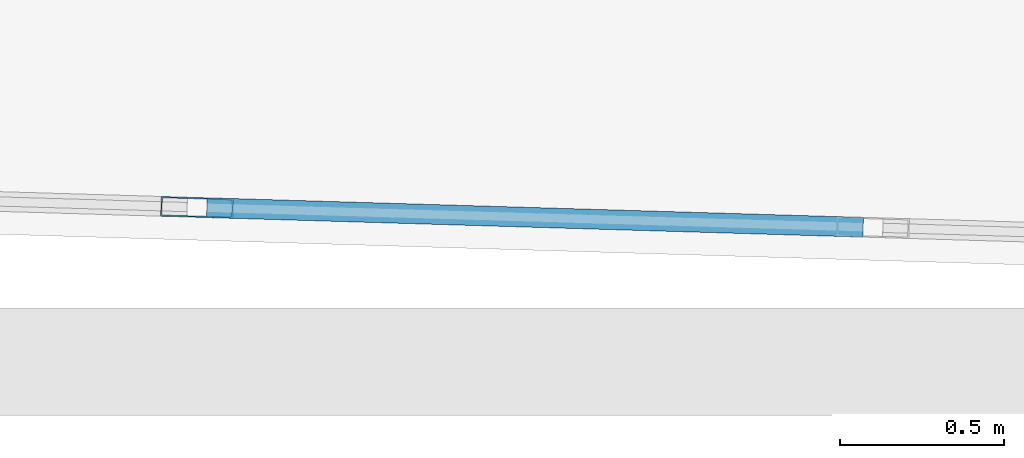
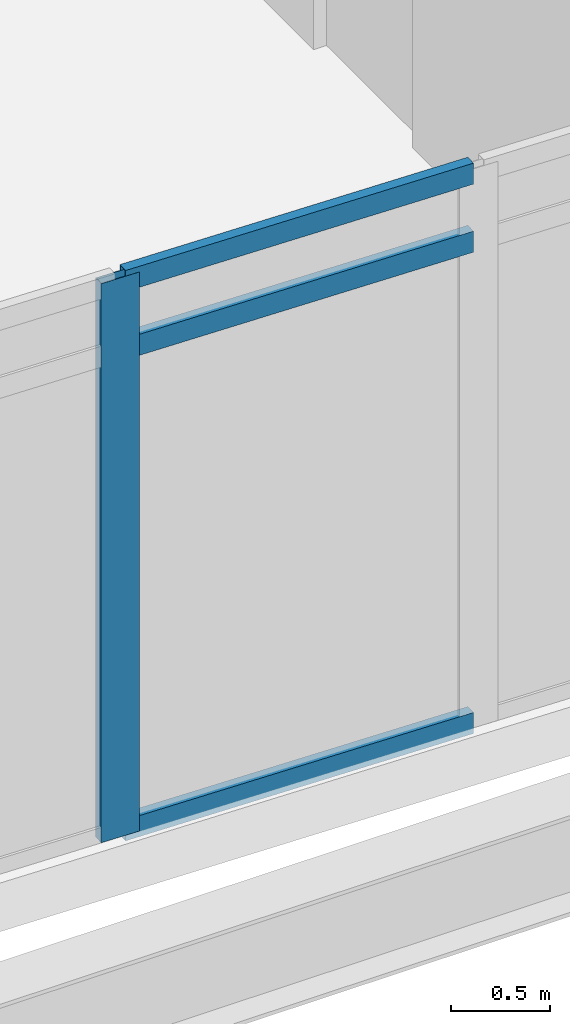
# One storey, part 5 of 28: 4 members, 1 element without a shape of its own.
"""IFC4 building model written with IfcOpenShell, lengths in metres."""

from ifc_helpers import new_model, si_unit, direction, frame, origin, origin_2d, place, context, subcontext, project, spatial, hollow_rectangle, extrude, material, material_profile, profile_set, type_object, element, aggregate, save


model = new_model("IFC4")

# Units and contexts
model_context = context("Model", 3, precision=1e-05, world=origin(), true_north=direction((0.0, 1.0)))
body_context = subcontext(model_context, "Body", "Model", "MODEL_VIEW")
ifc_project = project(units=[si_unit("LENGTHUNIT", "METRE"), si_unit("AREAUNIT", "SQUARE_METRE"), si_unit("VOLUMEUNIT", "CUBIC_METRE"), si_unit("PLANEANGLEUNIT", "RADIAN"), si_unit("MASSUNIT", "GRAM", prefix="KILO")], contexts=[model_context])

# Site, building, storey
site_placement = place(None, origin())
site = spatial("IfcSite", under=ifc_project, at=site_placement, CompositionType="ELEMENT")
building_placement = place(site_placement, origin())
building = spatial("IfcBuilding", under=site, at=building_placement, Name="Ostrander Bayou Hotel Tower", CompositionType="ELEMENT")
storey_placement = place(building_placement, frame((0.0, 0.0, 142.25)))
storey = spatial("IfcBuildingStorey", under=building, at=storey_placement, Name="L35", CompositionType="ELEMENT", Elevation=142.25)

# Curtain wall, members
ifc_material_1 = material(Name="Aluminium and clear glass", Category="aluminium")
curtain_wall_type = type_object("IfcCurtainWallType", Name="CW-BAR glazed wall", PredefinedType="NOTDEFINED", material=ifc_material_1)
curtain_wall_placement = place(storey_placement, origin())
curtain_wall = element("IfcCurtainWall", 1, at=curtain_wall_placement, inside=storey, type_object=curtain_wall_type, Name="CW-BAR L35:SB3S:T", PredefinedType="NOTDEFINED")
ifc_material_2 = material(Name="Aluminium", Category="aluminium")
ifc_material_profile_1 = material_profile(ifc_material_2, hollow_rectangle(XDim=0.06005859375, YDim=0.219970703125, WallThickness=0.00390625, at=origin_2d()))
ifc_profile_set_1 = profile_set([ifc_material_profile_1], Name="Aluminium")
member_type_1 = type_object("IfcMemberType", Name="CW-BR mullion 60 x 220 mm", PredefinedType="MULLION", material=ifc_profile_set_1)
member_1_placement = place(storey_placement, frame((1.0283203125, -30.980712890625, 0.0), z_axis=(0.0, 0.0, 1.0), x_axis=(0.029746242041, 0.999557482631, 0.0)))
member_1 = element("IfcMember", 2, at=member_1_placement, type_object=member_type_1, Name="CW-BAR mullion 8", PredefinedType="MULLION", context=body_context, shape_type="SweptSolid", body=[
    extrude(hollow_rectangle(XDim=0.06005859375, YDim=0.219970703125, WallThickness=0.00390625, at=origin_2d()), origin(), (0.0, 0.0, 1.0), 3.449951171875),
])
ifc_material_3 = material(Name="Aluminium", Category="aluminium")
ifc_material_profile_2 = material_profile(ifc_material_3, hollow_rectangle(XDim=0.06005859375, YDim=0.1298828125, WallThickness=0.00390625, at=origin_2d()))
ifc_profile_set_2 = profile_set([ifc_material_profile_2], Name="Aluminium")
member_type_2 = type_object("IfcMemberType", Name="CW-BR transom 60 x 130 mm", PredefinedType="USERDEFINED", material=ifc_profile_set_2)
member_2_placement = place(storey_placement, frame((1.058349609375, -30.9814453125, 0.030029296875), z_axis=(0.999555090424, -0.029826518535, 0.0), x_axis=(0.029826518535, 0.999555090424, 0.0)))
member_2 = element("IfcMember", 3, at=member_2_placement, type_object=member_type_2, Name="CW-BAR transom 8.1", ObjectType="TRANSOM", PredefinedType="USERDEFINED", context=body_context, shape_type="SweptSolid", body=[
    extrude(hollow_rectangle(XDim=0.06005859375, YDim=0.1298828125, WallThickness=0.00390625, at=origin_2d()), origin(), (0.0, 0.0, 1.0), 1.997314453125),
])
member_3_placement = place(storey_placement, frame((1.058349609375, -30.9814453125, 3.0), z_axis=(0.999555090424, -0.029826518535, 0.0), x_axis=(0.029826518535, 0.999555090424, 0.0)))
member_3 = element("IfcMember", 4, at=member_3_placement, type_object=member_type_2, Name="CW-BAR transom 8.2", ObjectType="TRANSOM", PredefinedType="USERDEFINED", context=body_context, shape_type="SweptSolid", body=[
    extrude(hollow_rectangle(XDim=0.06005859375, YDim=0.1298828125, WallThickness=0.00390625, at=origin_2d()), origin(), (0.0, 0.0, 1.0), 1.997314453125),
])
member_4_placement = place(storey_placement, frame((1.058349609375, -30.9814453125, 3.419921875), z_axis=(0.999555090424, -0.029826518535, 0.0), x_axis=(0.029826518535, 0.999555090424, 0.0)))
member_4 = element("IfcMember", 5, at=member_4_placement, type_object=member_type_2, Name="CW-BAR transom 8.3", ObjectType="TRANSOM", PredefinedType="USERDEFINED", context=body_context, shape_type="SweptSolid", body=[
    extrude(hollow_rectangle(XDim=0.06005859375, YDim=0.1298828125, WallThickness=0.00390625, at=origin_2d()), origin(), (0.0, 0.0, 1.0), 1.997314453125),
])
aggregate(curtain_wall, [member_1, member_2, member_3, member_4])

save(model, "model.ifc")
